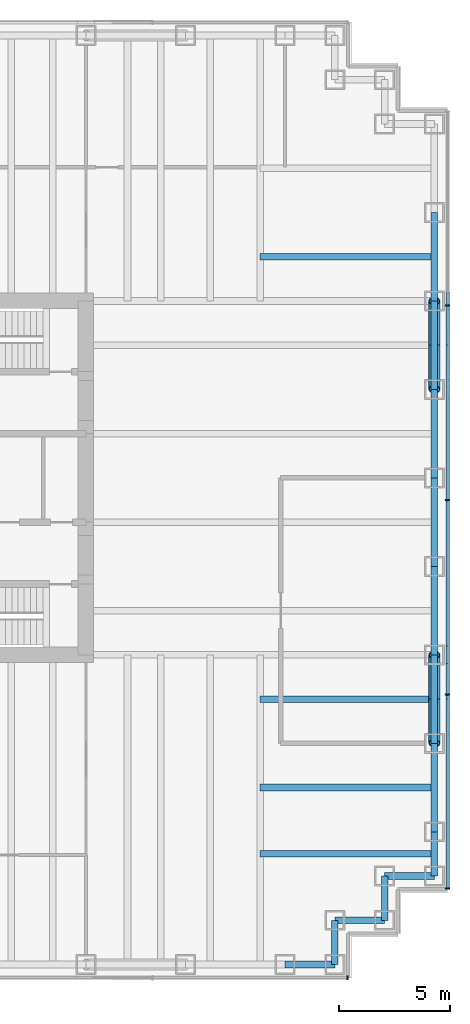
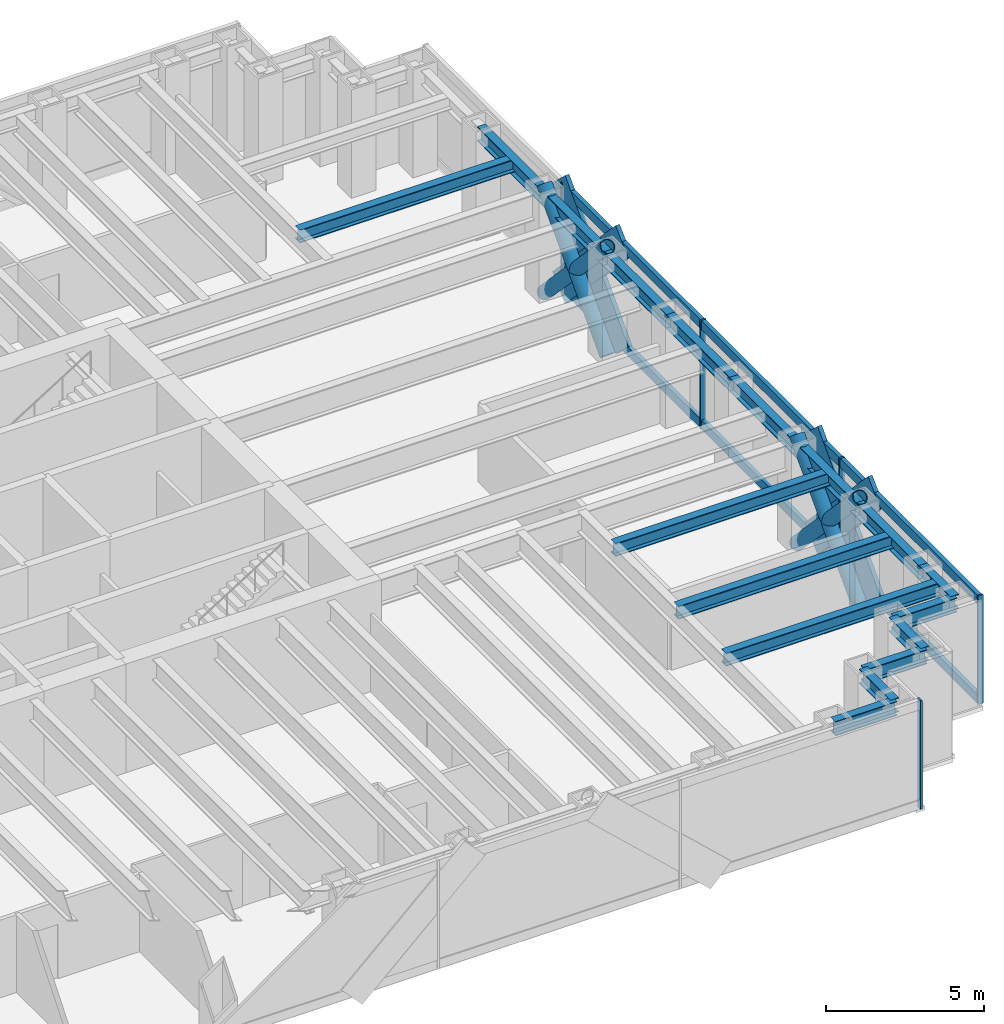
# One storey, part 8 of 17: 19 members, 17 beams, 2 elements without a shape of their own.
"""IFC4 building model written with IfcOpenShell, lengths in metres."""

from ifc_helpers import new_model, si_unit, direction, frame, origin, origin_2d, place, context, subcontext, project, spatial, rectangle, hollow_circle, i_section, extrude, material, material_profile, profile_set, type_object, element, aggregate, save


model = new_model("IFC4")

# Units and contexts
model_context = context("Model", 3, precision=1e-05, world=origin(), true_north=direction((0.0, 1.0)))
body_context = subcontext(model_context, "Body", "Model", "MODEL_VIEW")
ifc_project = project(units=[si_unit("LENGTHUNIT", "METRE"), si_unit("AREAUNIT", "SQUARE_METRE"), si_unit("VOLUMEUNIT", "CUBIC_METRE"), si_unit("PLANEANGLEUNIT", "RADIAN"), si_unit("MASSUNIT", "GRAM", prefix="KILO")], contexts=[model_context])

# Site, building, storey
site_placement = place(None, origin())
site = spatial("IfcSite", under=ifc_project, at=site_placement, CompositionType="ELEMENT")
building_placement = place(site_placement, origin())
building = spatial("IfcBuilding", under=site, at=building_placement, Name="Rheinbord Bourse Tower", CompositionType="ELEMENT")
storey_placement = place(building_placement, frame((0.0, 0.0, 283.699951171875)))
storey = spatial("IfcBuildingStorey", under=building, at=storey_placement, Name="L64", CompositionType="ELEMENT", Elevation=283.699951171875)

# Curtain wall, members
ifc_material_1 = material(Name="Dark glass and black aluminium", Category="aluminium")
curtain_wall_type = type_object("IfcCurtainWallType", Name="CW3 DARK GLASS CURTAIN WALL", PredefinedType="USERDEFINED", material=ifc_material_1)
curtain_wall_1_placement = place(storey_placement, origin())
curtain_wall_1 = element("IfcCurtainWall", 1, at=curtain_wall_1_placement, inside=storey, type_object=curtain_wall_type, Name="Curtain wall CW3 E L64", ObjectType="UNITISED CURTAIN WALL", PredefinedType="USERDEFINED")
ifc_material_2 = material(Name="Black anodised aluminium", Category="aluminium")
ifc_material_profile_1 = material_profile(ifc_material_2, rectangle(XDim=0.14990234375, YDim=1.10791015625, at=origin_2d()), Name="CW3 DIAGONAL MULLION 1108x150")
ifc_profile_set_1 = profile_set([ifc_material_profile_1], Name="Black anodised aluminium")
member_type_1 = type_object("IfcMemberType", Name="CW3 BLACK DIAGONAL MULLION", PredefinedType="USERDEFINED", material=ifc_profile_set_1)
member_1_placement = place(storey_placement, frame((70.35009765625, 32.0, 0.0), z_axis=(0.0, -0.689659376744, 0.724133926887), x_axis=(1.0, 0.0, 0.0)))
member_1 = element("IfcMember", 2, at=member_1_placement, type_object=member_type_1, Name="CW3 diagonal mullion a", ObjectType="DIAGONAL MULLION", PredefinedType="USERDEFINED", context=body_context, shape_type="SweptSolid", body=[
    extrude(rectangle(XDim=0.14990234375, YDim=1.10791015625, at=origin_2d()), origin(), (0.0, 0.0, 1.0), 5.800048828125),
])
member_2_placement = place(storey_placement, frame((70.35009765625, 12.0, 0.0), z_axis=(0.0, 0.689659376744, 0.724133926887), x_axis=(-1.0, 0.0, 0.0)))
member_2 = element("IfcMember", 3, at=member_2_placement, type_object=member_type_1, Name="CW3 diagonal mullion b", ObjectType="DIAGONAL MULLION", PredefinedType="USERDEFINED", context=body_context, shape_type="SweptSolid", body=[
    extrude(rectangle(XDim=0.14990234375, YDim=1.10791015625, at=origin_2d()), origin(), (0.0, 0.0, 1.0), 5.800048828125),
])
member_3_placement = place(storey_placement, frame((70.35009765625, 16.0, 0.0), z_axis=(0.0, -0.689659376744, 0.724133926887), x_axis=(1.0, 0.0, 0.0)))
member_3 = element("IfcMember", 4, at=member_3_placement, type_object=member_type_1, Name="CW3 diagonal mullion c", ObjectType="DIAGONAL MULLION", PredefinedType="USERDEFINED", context=body_context, shape_type="SweptSolid", body=[
    extrude(rectangle(XDim=0.14990234375, YDim=1.10791015625, at=origin_2d()), origin(), (0.0, 0.0, 1.0), 5.800048828125),
])
member_4_placement = place(storey_placement, frame((70.35009765625, 28.0, 0.0), z_axis=(0.0, 0.689659376744, 0.724133926887), x_axis=(-1.0, 0.0, 0.0)))
member_4 = element("IfcMember", 5, at=member_4_placement, type_object=member_type_1, Name="CW3 diagonal mullion d", ObjectType="DIAGONAL MULLION", PredefinedType="USERDEFINED", context=body_context, shape_type="SweptSolid", body=[
    extrude(rectangle(XDim=0.14990234375, YDim=1.10791015625, at=origin_2d()), origin(), (0.0, 0.0, 1.0), 5.800048828125),
])

# Curtain wall, member
curtain_wall_2_placement = place(storey_placement, origin())
curtain_wall_2 = element("IfcCurtainWall", 6, at=curtain_wall_2_placement, inside=storey, type_object=curtain_wall_type, Name="Curtain wall CW3 S L64", ObjectType="UNITISED CURTAIN WALL", PredefinedType="USERDEFINED")
ifc_material_3 = material(Name="Black anodised aluminium", Category="aluminium")
ifc_material_profile_2 = material_profile(ifc_material_3, rectangle(XDim=0.199951171875, YDim=0.06494140625, at=origin_2d()), Name="CW3 MULLION 65x200")
ifc_profile_set_2 = profile_set([ifc_material_profile_2], Name="Black anodised aluminium")
member_type_2 = type_object("IfcMemberType", Name="CW3 BLACK MULLION", PredefinedType="MULLION", material=ifc_profile_set_2)
member_5_placement = place(storey_placement, frame((65.8173828125, 1.39990234375, 0.0), z_axis=(0.0, 0.0, 1.0), x_axis=(0.0, 1.0, 0.0)))
member_5 = element("IfcMember", 7, at=member_5_placement, type_object=member_type_2, Name="CW3 mullion 8", PredefinedType="MULLION", context=body_context, shape_type="SweptSolid", body=[
    extrude(rectangle(XDim=0.199951171875, YDim=0.06494140625, at=origin_2d()), origin(), (0.0, 0.0, 1.0), 4.199951171875),
])
aggregate(curtain_wall_2, [member_5])

# Member
member_6_placement = place(storey_placement, frame((70.35009765625, 5.4326171875, 0.0), z_axis=(0.0, 0.0, 1.0), x_axis=(-1.0, 0.0, 0.0)))
member_6 = element("IfcMember", 8, at=member_6_placement, type_object=member_type_2, Name="CW3 mullion 1", PredefinedType="MULLION", context=body_context, shape_type="SweptSolid", body=[
    extrude(rectangle(XDim=0.199951171875, YDim=0.06494140625, at=origin_2d()), origin(), (0.0, 0.0, 1.0), 4.199951171875),
])

member_7_placement = place(storey_placement, frame((70.35009765625, 14.199951171875, 0.0), z_axis=(0.0, 0.0, 1.0), x_axis=(-1.0, 0.0, 0.0)))
member_7 = element("IfcMember", 9, at=member_7_placement, type_object=member_type_2, Name="CW3 mullion 2", PredefinedType="MULLION", context=body_context, shape_type="SweptSolid", body=[
    extrude(rectangle(XDim=0.199951171875, YDim=0.06494140625, at=origin_2d()), origin(), (0.0, 0.0, 1.0), 4.199951171875),
])

member_8_placement = place(storey_placement, frame((70.35009765625, 23.0, 0.0), z_axis=(0.0, 0.0, 1.0), x_axis=(-1.0, 0.0, 0.0)))
member_8 = element("IfcMember", 10, at=member_8_placement, type_object=member_type_2, Name="CW3 mullion 3", PredefinedType="MULLION", context=body_context, shape_type="SweptSolid", body=[
    extrude(rectangle(XDim=0.199951171875, YDim=0.06494140625, at=origin_2d()), origin(), (0.0, 0.0, 1.0), 4.199951171875),
])

member_9_placement = place(storey_placement, frame((70.35009765625, 31.800048828125, 0.0), z_axis=(0.0, 0.0, 1.0), x_axis=(-1.0, 0.0, 0.0)))
member_9 = element("IfcMember", 11, at=member_9_placement, type_object=member_type_2, Name="CW3 mullion 4", PredefinedType="MULLION", context=body_context, shape_type="SweptSolid", body=[
    extrude(rectangle(XDim=0.199951171875, YDim=0.06494140625, at=origin_2d()), origin(), (0.0, 0.0, 1.0), 4.199951171875),
])

ifc_material_4 = material(Name="Black anodised aluminium", Category="aluminium")
ifc_material_profile_3 = material_profile(ifc_material_4, rectangle(XDim=0.14990234375, YDim=0.35009765625, at=origin_2d()), Name="CW3 TRANSOM 350x150")
ifc_profile_set_3 = profile_set([ifc_material_profile_3], Name="Black anodised aluminium")
member_type_3 = type_object("IfcMemberType", Name="CW3 BLACK TRANSOM", PredefinedType="USERDEFINED", material=ifc_profile_set_3)
member_10_placement = place(storey_placement, frame((70.35009765625, 5.465087890625, 0.175048828125), z_axis=(0.0, 1.0, 0.0), x_axis=(-1.0, 0.0, 0.0)))
member_10 = element("IfcMember", 12, at=member_10_placement, type_object=member_type_3, Name="CW3 transom 1.1", ObjectType="TRANSOM", PredefinedType="USERDEFINED", context=body_context, shape_type="SweptSolid", body=[
    extrude(rectangle(XDim=0.14990234375, YDim=0.35009765625, at=origin_2d()), origin(), (0.0, 0.0, 1.0), 8.702392578125),
])

member_11_placement = place(storey_placement, frame((70.35009765625, 5.465087890625, 4.025146484375), z_axis=(0.0, 1.0, 0.0), x_axis=(-1.0, 0.0, 0.0)))
member_11 = element("IfcMember", 13, at=member_11_placement, type_object=member_type_3, Name="CW3 transom 1.2", ObjectType="TRANSOM", PredefinedType="USERDEFINED", context=body_context, shape_type="SweptSolid", body=[
    extrude(rectangle(XDim=0.14990234375, YDim=0.35009765625, at=origin_2d()), origin(), (0.0, 0.0, 1.0), 8.702392578125),
])

member_12_placement = place(storey_placement, frame((70.35009765625, 14.232421875, 0.175048828125), z_axis=(0.0, 1.0, 0.0), x_axis=(-1.0, 0.0, 0.0)))
member_12 = element("IfcMember", 14, at=member_12_placement, type_object=member_type_3, Name="CW3 transom 2.1", ObjectType="TRANSOM", PredefinedType="USERDEFINED", context=body_context, shape_type="SweptSolid", body=[
    extrude(rectangle(XDim=0.14990234375, YDim=0.35009765625, at=origin_2d()), origin(), (0.0, 0.0, 1.0), 8.735107421875),
])

member_13_placement = place(storey_placement, frame((70.35009765625, 14.232421875, 4.025146484375), z_axis=(0.0, 1.0, 0.0), x_axis=(-1.0, 0.0, 0.0)))
member_13 = element("IfcMember", 15, at=member_13_placement, type_object=member_type_3, Name="CW3 transom 2.2", ObjectType="TRANSOM", PredefinedType="USERDEFINED", context=body_context, shape_type="SweptSolid", body=[
    extrude(rectangle(XDim=0.14990234375, YDim=0.35009765625, at=origin_2d()), origin(), (0.0, 0.0, 1.0), 8.735107421875),
])

member_14_placement = place(storey_placement, frame((70.35009765625, 23.032470703125, 0.175048828125), z_axis=(0.0, 1.0, 0.0), x_axis=(-1.0, 0.0, 0.0)))
member_14 = element("IfcMember", 16, at=member_14_placement, type_object=member_type_3, Name="CW3 transom 3.1", ObjectType="TRANSOM", PredefinedType="USERDEFINED", context=body_context, shape_type="SweptSolid", body=[
    extrude(rectangle(XDim=0.14990234375, YDim=0.35009765625, at=origin_2d()), origin(), (0.0, 0.0, 1.0), 8.735107421875),
])

member_15_placement = place(storey_placement, frame((70.35009765625, 23.032470703125, 4.025146484375), z_axis=(0.0, 1.0, 0.0), x_axis=(-1.0, 0.0, 0.0)))
member_15 = element("IfcMember", 17, at=member_15_placement, type_object=member_type_3, Name="CW3 transom 3.2", ObjectType="TRANSOM", PredefinedType="USERDEFINED", context=body_context, shape_type="SweptSolid", body=[
    extrude(rectangle(XDim=0.14990234375, YDim=0.35009765625, at=origin_2d()), origin(), (0.0, 0.0, 1.0), 8.735107421875),
])

aggregate(curtain_wall_1, [member_6, member_7, member_8, member_9, member_10, member_11, member_12, member_13, member_14, member_15, member_1, member_2, member_3, member_4])

# Members
ifc_material_5 = material(Name="Steel S460", Category="steel")
ifc_material_profile_4 = material_profile(ifc_material_5, hollow_circle(Radius=0.25390625, WallThickness=0.030029296875, at=origin_2d()), Name="CHS 508x30")
ifc_profile_set_4 = profile_set([ifc_material_profile_4], Name="Steel S460")
member_type_4 = type_object("IfcMemberType", Name="MEGABRACE CHS 508x30", PredefinedType="BRACE", material=ifc_profile_set_4)
for number, where, z_axis, x_axis, name in (
    (18, (69.75, 32.0, 0.0), (0.0, -0.689659376744, 0.724133926887), (1.0, 0.0, 0.0), "Megabrace E face line a L64"),
    (19, (69.75, 12.0, 0.0), (0.0, 0.689659376744, 0.724133926887), (-1.0, 0.0, 0.0), "Megabrace E face line b L64"),
    (20, (69.75, 16.0, 0.0), (0.0, -0.689659376744, 0.724133926887), (1.0, 0.0, 0.0), "Megabrace E face line c L64"),
    (21, (69.75, 28.0, 0.0), (0.0, 0.689659376744, 0.724133926887), (-1.0, 0.0, 0.0), "Megabrace E face line d L64"),
):
    element("IfcMember", number, at=place(storey_placement, frame(where, z_axis=z_axis, x_axis=x_axis)), inside=storey, type_object=member_type_4, Name=name, PredefinedType="BRACE", context=body_context, shape_type="SweptSolid", body=[
        extrude(hollow_circle(Radius=0.25390625, WallThickness=0.030029296875, at=origin_2d()), origin(), (0.0, 0.0, 1.0), 5.800048828125),
    ])

# Beams
ifc_material_6 = material(Name="Steel S460", Category="steel")
ifc_material_profile_5 = material_profile(ifc_material_6, i_section(OverallWidth=0.300048828125, OverallDepth=0.550048828125, WebThickness=0.014892578125, FlangeThickness=0.029052734375, at=origin_2d()), Name="HEB 550")
ifc_profile_set_5 = profile_set([ifc_material_profile_5], Name="Steel S460")
beam_type_1 = type_object("IfcBeamType", Name="SPANDREL HEB 550", PredefinedType="SPANDREL", material=ifc_profile_set_5)
beam_1_placement = place(storey_placement, frame((63.0, 2.0, 3.76513671875), z_axis=(1.0, 0.0, 0.0), x_axis=(0.0, 1.0, 0.0)))
element("IfcBeam", 22, at=beam_1_placement, inside=storey, type_object=beam_type_1, Name="Spandrel S-63-SE-E under L65", PredefinedType="SPANDREL", context=body_context, shape_type="SweptSolid", body=[
    extrude(i_section(OverallWidth=0.300048828125, OverallDepth=0.550048828125, WebThickness=0.014892578125, FlangeThickness=0.029052734375, at=origin_2d()), origin(), (0.0, 0.0, 1.0), 2.25),
])
beam_2_placement = place(storey_placement, frame((65.25, 2.0, 3.76513671875), z_axis=(0.0, 1.0, 0.0), x_axis=(-1.0, 0.0, 0.0)))
element("IfcBeam", 23, at=beam_2_placement, inside=storey, type_object=beam_type_1, Name="Spandrel SE-E-SE-D under L65", PredefinedType="SPANDREL", context=body_context, shape_type="SweptSolid", body=[
    extrude(i_section(OverallWidth=0.300048828125, OverallDepth=0.550048828125, WebThickness=0.014892578125, FlangeThickness=0.029052734375, at=origin_2d()), origin(), (0.0, 0.0, 1.0), 2.0),
])
beam_3_placement = place(storey_placement, frame((65.25, 4.0, 3.76513671875), z_axis=(1.0, 0.0, 0.0), x_axis=(0.0, 1.0, 0.0)))
element("IfcBeam", 24, at=beam_3_placement, inside=storey, type_object=beam_type_1, Name="Spandrel SE-D-SE-C under L65", PredefinedType="SPANDREL", context=body_context, shape_type="SweptSolid", body=[
    extrude(i_section(OverallWidth=0.300048828125, OverallDepth=0.550048828125, WebThickness=0.014892578125, FlangeThickness=0.029052734375, at=origin_2d()), origin(), (0.0, 0.0, 1.0), 2.25),
])
beam_4_placement = place(storey_placement, frame((67.5, 4.0, 3.76513671875), z_axis=(0.0, 1.0, 0.0), x_axis=(-1.0, 0.0, 0.0)))
element("IfcBeam", 25, at=beam_4_placement, inside=storey, type_object=beam_type_1, Name="Spandrel SE-C-SE-B under L65", PredefinedType="SPANDREL", context=body_context, shape_type="SweptSolid", body=[
    extrude(i_section(OverallWidth=0.300048828125, OverallDepth=0.550048828125, WebThickness=0.014892578125, FlangeThickness=0.029052734375, at=origin_2d()), origin(), (0.0, 0.0, 1.0), 2.0),
])
beam_5_placement = place(storey_placement, frame((67.5, 6.0, 3.76513671875), z_axis=(1.0, 0.0, 0.0), x_axis=(0.0, 1.0, 0.0)))
element("IfcBeam", 26, at=beam_5_placement, inside=storey, type_object=beam_type_1, Name="Spandrel SE-B-SE-A under L65", PredefinedType="SPANDREL", context=body_context, shape_type="SweptSolid", body=[
    extrude(i_section(OverallWidth=0.300048828125, OverallDepth=0.550048828125, WebThickness=0.014892578125, FlangeThickness=0.029052734375, at=origin_2d()), origin(), (0.0, 0.0, 1.0), 2.25),
])
beam_6_placement = place(storey_placement, frame((69.75, 6.0, 3.76513671875), z_axis=(0.0, 1.0, 0.0), x_axis=(-1.0, 0.0, 0.0)))
element("IfcBeam", 27, at=beam_6_placement, inside=storey, type_object=beam_type_1, Name="Spandrel SE-A-E-8 under L65", PredefinedType="SPANDREL", context=body_context, shape_type="SweptSolid", body=[
    extrude(i_section(OverallWidth=0.300048828125, OverallDepth=0.550048828125, WebThickness=0.014892578125, FlangeThickness=0.029052734375, at=origin_2d()), origin(), (0.0, 0.0, 1.0), 2.0),
])
for number, where, z_axis, x_axis, name in (
    (28, (69.75, 8.0, 3.76513671875), (0.0, 1.0, 0.0), (-1.0, 0.0, 0.0), "Spandrel E-8-E-12 under L65"),
    (29, (69.75, 12.0, 3.76513671875), (0.0, 1.0, 0.0), (-1.0, 0.0, 0.0), "Spandrel E-12-E-16 under L65"),
    (30, (69.75, 16.0, 3.76513671875), (0.0, 1.0, 0.0), (-1.0, 0.0, 0.0), "Spandrel E-16-E-20 under L65"),
    (31, (69.75, 20.0, 3.76513671875), (0.0, 1.0, 0.0), (-1.0, 0.0, 0.0), "Spandrel E-20-E-24 under L65"),
    (32, (69.75, 24.0, 3.76513671875), (0.0, 1.0, 0.0), (-1.0, 0.0, 0.0), "Spandrel E-24-E-28 under L65"),
    (33, (69.75, 28.0, 3.76513671875), (0.0, 1.0, 0.0), (-1.0, 0.0, 0.0), "Spandrel E-28-E-32 under L65"),
    (34, (69.75, 32.0, 3.76513671875), (0.0, 1.0, 0.0), (-1.0, 0.0, 0.0), "Spandrel E-32-E-36 under L65"),
):
    element("IfcBeam", number, at=place(storey_placement, frame(where, z_axis=z_axis, x_axis=x_axis)), inside=storey, type_object=beam_type_1, Name=name, PredefinedType="SPANDREL", context=body_context, shape_type="SweptSolid", body=[
        extrude(i_section(OverallWidth=0.300048828125, OverallDepth=0.550048828125, WebThickness=0.014892578125, FlangeThickness=0.029052734375, at=origin_2d()), origin(), (0.0, 0.0, 1.0), 4.0),
    ])
ifc_material_7 = material(Name="Steel S460", Category="steel")
ifc_material_profile_6 = material_profile(ifc_material_7, i_section(OverallWidth=0.300048828125, OverallDepth=0.5, WebThickness=0.014404296875, FlangeThickness=0.028076171875, at=origin_2d()), Name="HEB 500")
ifc_profile_set_6 = profile_set([ifc_material_profile_6], Name="Steel S460")
beam_type_2 = type_object("IfcBeamType", Name="TIE BEAM HEB 500", PredefinedType="JOIST", material=ifc_profile_set_6)
for number, where, z_axis, x_axis, name in (
    (35, (61.875, 7.0, 3.7900390625), (1.0, 0.0, 0.0), (0.0, 1.0, 0.0), "Tie east 7 L65"),
    (36, (61.875, 10.0, 3.7900390625), (1.0, 0.0, 0.0), (0.0, 1.0, 0.0), "Tie east 10 L65"),
    (37, (61.875, 14.0, 3.7900390625), (1.0, 0.0, 0.0), (0.0, 1.0, 0.0), "Tie east 14 L65"),
    (38, (61.875, 34.0, 3.7900390625), (1.0, 0.0, 0.0), (0.0, 1.0, 0.0), "Tie east 34 L65"),
):
    element("IfcBeam", number, at=place(storey_placement, frame(where, z_axis=z_axis, x_axis=x_axis)), inside=storey, type_object=beam_type_2, Name=name, PredefinedType="JOIST", context=body_context, shape_type="SweptSolid", body=[
        extrude(i_section(OverallWidth=0.300048828125, OverallDepth=0.5, WebThickness=0.014404296875, FlangeThickness=0.028076171875, at=origin_2d()), origin(), (0.0, 0.0, 1.0), 7.875),
    ])

save(model, "model.ifc")
